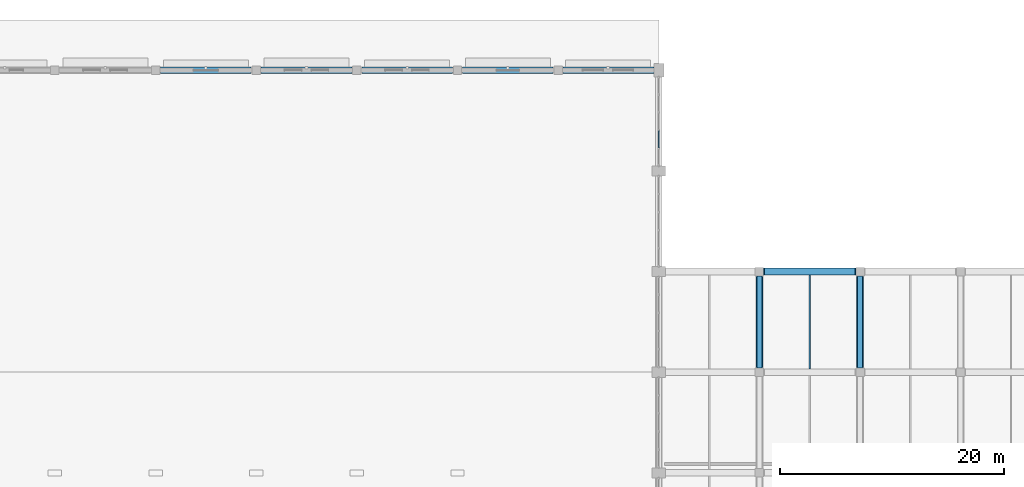
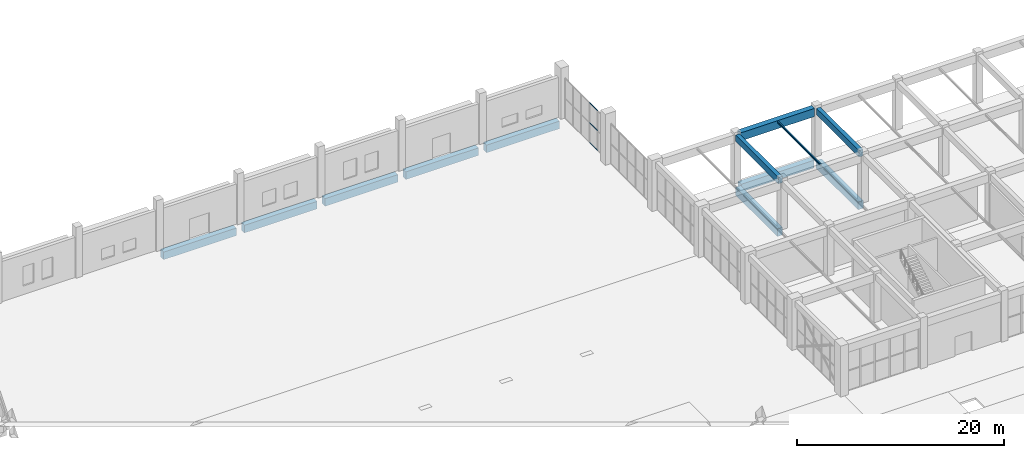
# One storey, part 46 of 91: 12 beams, 3 members, 1 element without a shape of its own.
"""IFC4 building model written with IfcOpenShell, lengths in metres."""

from ifc_helpers import new_model, si_unit, direction, frame, origin, origin_2d, place, context, subcontext, project, spatial, rectangle, hollow_rectangle, i_section, extrude, material, layer, layer_set, material_profile, profile_set, type_object, element, aggregate, save


model = new_model("IFC4")

# Units and contexts
model_context = context("Model", 3, precision=1e-05, world=origin(), true_north=direction((0.0, 1.0)))
body_context = subcontext(model_context, "Body", "Model", "MODEL_VIEW")
ifc_project = project(units=[si_unit("LENGTHUNIT", "METRE"), si_unit("AREAUNIT", "SQUARE_METRE"), si_unit("VOLUMEUNIT", "CUBIC_METRE"), si_unit("PLANEANGLEUNIT", "RADIAN"), si_unit("MASSUNIT", "GRAM", prefix="KILO")], contexts=[model_context])

# Site, building, storey
site_placement = place(None, origin())
site = spatial("IfcSite", under=ifc_project, at=site_placement, CompositionType="ELEMENT")
building_placement = place(site_placement, origin())
building = spatial("IfcBuilding", under=site, at=building_placement, Name="Dornveld Trade and Exhibition Forum", CompositionType="ELEMENT")
storey_placement = place(building_placement, origin())
storey = spatial("IfcBuildingStorey", under=building, at=storey_placement, Name="L00", CompositionType="ELEMENT", Elevation=0.0)

# Beams
ifc_material_1 = material(Name="Concrete C40/50", Category="concrete")
ifc_material_profile_1 = material_profile(ifc_material_1, rectangle(XDim=0.60009765625, YDim=0.89990234375, at=origin_2d()), Name="RC-GB 600x900")
ifc_profile_set_1 = profile_set([ifc_material_profile_1], Name="Concrete C40/50")
beam_type_1 = type_object("IfcBeamType", Name="BM-GB-600x900", PredefinedType="BEAM", material=ifc_profile_set_1)
for number, where, z_axis, x_axis, name in (
    (1, (126.446044921875, 162.0, -0.830078125), (1.0, 0.0, 0.0), (0.0, 1.0, 0.0), "L00 X-girder 503"),
    (2, (135.446044921875, 162.0, -0.830078125), (1.0, 0.0, 0.0), (0.0, 1.0, 0.0), "L00 X-girder 504"),
    (3, (144.446044921875, 162.0, -0.830078125), (1.0, 0.0, 0.0), (0.0, 1.0, 0.0), "L00 X-girder 505"),
    (4, (153.446044921875, 162.0, -0.830078125), (1.0, 0.0, 0.0), (0.0, 1.0, 0.0), "L00 X-girder 506"),
    (5, (162.446044921875, 162.0, -0.830078125), (1.0, 0.0, 0.0), (0.0, 1.0, 0.0), "L00 X-girder 507"),
    (6, (180.446044921875, 144.0, -0.830078125), (1.0, 0.0, 0.0), (0.0, 1.0, 0.0), "L00 X-girder 543"),
    (7, (180.0, 135.446044921875, -0.830078125), (0.0, 1.0, 0.0), (-1.0, 0.0, 0.0), "L00 Y-girder 550"),
    (8, (189.0, 135.446044921875, -0.830078125), (0.0, 1.0, 0.0), (-1.0, 0.0, 0.0), "L00 Y-girder 554"),
):
    element("IfcBeam", number, at=place(storey_placement, frame(where, z_axis=z_axis, x_axis=x_axis)), inside=storey, type_object=beam_type_1, Name=name, PredefinedType="BEAM", context=body_context, shape_type="SweptSolid", body=[
        extrude(rectangle(XDim=0.60009765625, YDim=0.89990234375, at=origin_2d()), origin(), (0.0, 0.0, 1.0), 8.10791015625),
    ])
ifc_material_2 = material(Name="Steel S355J2", Category="steel")
ifc_material_profile_2 = material_profile(ifc_material_2, i_section(OverallWidth=0.1201171875, OverallDepth=0.239990234375, WebThickness=0.006103515625, FlangeThickness=0.009765625, FilletRadius=0.014892578125, at=origin_2d()), Name="IPE 240")
ifc_profile_set_2 = profile_set([ifc_material_profile_2], Name="Steel S355J2")
beam_type_2 = type_object("IfcBeamType", Name="BM-JOIST-240", PredefinedType="JOIST", material=ifc_profile_set_2)
beam_1_placement = place(storey_placement, frame((184.5, 135.297119140625, 5.580078125), z_axis=(0.0, 1.0, 0.0), x_axis=(-1.0, 0.0, 0.0)))
element("IfcBeam", 9, at=beam_1_placement, inside=storey, type_object=beam_type_2, Name="L00 secondary joist 1008", PredefinedType="JOIST", context=body_context, shape_type="SweptSolid", body=[
    extrude(i_section(OverallWidth=0.1201171875, OverallDepth=0.239990234375, WebThickness=0.006103515625, FlangeThickness=0.009765625, FilletRadius=0.014892578125, at=origin_2d()), origin(), (0.0, 0.0, 1.0), 8.40576171875),
])
ifc_material_3 = material(Name="Precast concrete C50/60", Category="concrete")
ifc_material_profile_3 = material_profile(ifc_material_3, rectangle(XDim=0.449951171875, YDim=0.75, at=origin_2d()), Name="PC-BM 450x750")
ifc_profile_set_3 = profile_set([ifc_material_profile_3], Name="Precast concrete C50/60")
beam_type_3 = type_object("IfcBeamType", Name="BM-PC-450x750", PredefinedType="BEAM", material=ifc_profile_set_3)
for number, where, z_axis, x_axis, name in (
    (10, (180.0, 135.37109375, 5.324951171875), (0.0, 1.0, 0.0), (-1.0, 0.0, 0.0), "L00 Y-girder 986"),
    (11, (189.0, 135.37109375, 5.324951171875), (0.0, 1.0, 0.0), (-1.0, 0.0, 0.0), "L00 Y-girder 990"),
):
    element("IfcBeam", number, at=place(storey_placement, frame(where, z_axis=z_axis, x_axis=x_axis)), inside=storey, type_object=beam_type_3, Name=name, PredefinedType="BEAM", context=body_context, shape_type="SweptSolid", body=[
        extrude(rectangle(XDim=0.449951171875, YDim=0.75, at=origin_2d()), origin(), (0.0, 0.0, 1.0), 8.2578125),
    ])
ifc_material_4 = material(Name="Precast concrete C50/60", Category="concrete")
ifc_material_profile_4 = material_profile(ifc_material_4, rectangle(XDim=0.60009765625, YDim=0.949951171875, at=origin_2d()), Name="PC-GIR 600x950")
ifc_profile_set_4 = profile_set([ifc_material_profile_4], Name="Precast concrete C50/60")
beam_type_4 = type_object("IfcBeamType", Name="BM-PC-600x950", PredefinedType="T_BEAM", material=ifc_profile_set_4)
beam_2_placement = place(storey_placement, frame((180.37109375, 144.0, 5.22509765625), z_axis=(1.0, 0.0, 0.0), x_axis=(0.0, 1.0, 0.0)))
element("IfcBeam", 12, at=beam_2_placement, inside=storey, type_object=beam_type_4, Name="L00 X-girder 975", PredefinedType="T_BEAM", context=body_context, shape_type="SweptSolid", body=[
    extrude(rectangle(XDim=0.60009765625, YDim=0.949951171875, at=origin_2d()), origin(), (0.0, 0.0, 1.0), 8.2578125),
])

# Curtain wall, members
ifc_material_5 = material(Name="Dark-bronze anodised aluminium and low-E glass", Category="aluminium")
ifc_layer = layer(ifc_material_5, 0.159912109375)
ifc_layer_set = layer_set([ifc_layer], Name="Dark-bronze anodised aluminium and low-E glass")
curtain_wall_type = type_object("IfcCurtainWallType", Name="CW-SYS-06", PredefinedType="USERDEFINED", material=ifc_layer_set)
curtain_wall_placement = place(storey_placement, origin())
curtain_wall = element("IfcCurtainWall", 13, at=curtain_wall_placement, inside=storey, type_object=curtain_wall_type, Name="L00 unitised curtain wall 6", ObjectType="UNITISED_CURTAIN_WALL", PredefinedType="USERDEFINED")
ifc_material_6 = material(Name="Dark-bronze anodised aluminium", Category="aluminium")
ifc_material_profile_5 = material_profile(ifc_material_6, hollow_rectangle(XDim=0.06005859375, YDim=0.1201171875, WallThickness=0.00390625, at=origin_2d()), Name="RHS 120x60x4")
ifc_profile_set_5 = profile_set([ifc_material_profile_5], Name="Dark-bronze anodised aluminium")
member_type = type_object("IfcMemberType", Name="CW-TRN-120", PredefinedType="USERDEFINED", material=ifc_profile_set_5)
member_1_placement = place(storey_placement, frame((171.0, 155.067626953125, 0.02587890625), z_axis=(0.0, 1.0, 0.0), x_axis=(-1.0, 0.0, 0.0)))
member_1 = element("IfcMember", 14, at=member_1_placement, type_object=member_type, Name="CW-06 transom 2.1", ObjectType="TRANSOM", PredefinedType="USERDEFINED", context=body_context, shape_type="SweptSolid", body=[
    extrude(hollow_rectangle(XDim=0.06005859375, YDim=0.1201171875, WallThickness=0.00390625, at=origin_2d()), origin(), (0.0, 0.0, 1.0), 1.531494140625),
])
member_2_placement = place(storey_placement, frame((171.0, 155.067626953125, 2.3779296875), z_axis=(0.0, 1.0, 0.0), x_axis=(-1.0, 0.0, 0.0)))
member_2 = element("IfcMember", 15, at=member_2_placement, type_object=member_type, Name="CW-06 transom 2.2", ObjectType="TRANSOM", PredefinedType="USERDEFINED", context=body_context, shape_type="SweptSolid", body=[
    extrude(hollow_rectangle(XDim=0.06005859375, YDim=0.1201171875, WallThickness=0.00390625, at=origin_2d()), origin(), (0.0, 0.0, 1.0), 1.531494140625),
])
member_3_placement = place(storey_placement, frame((171.0, 155.067626953125, 4.72998046875), z_axis=(0.0, 1.0, 0.0), x_axis=(-1.0, 0.0, 0.0)))
member_3 = element("IfcMember", 16, at=member_3_placement, type_object=member_type, Name="CW-06 transom 2.3", ObjectType="TRANSOM", PredefinedType="USERDEFINED", context=body_context, shape_type="SweptSolid", body=[
    extrude(hollow_rectangle(XDim=0.06005859375, YDim=0.1201171875, WallThickness=0.00390625, at=origin_2d()), origin(), (0.0, 0.0, 1.0), 1.531494140625),
])
aggregate(curtain_wall, [member_1, member_2, member_3])

save(model, "model.ifc")
